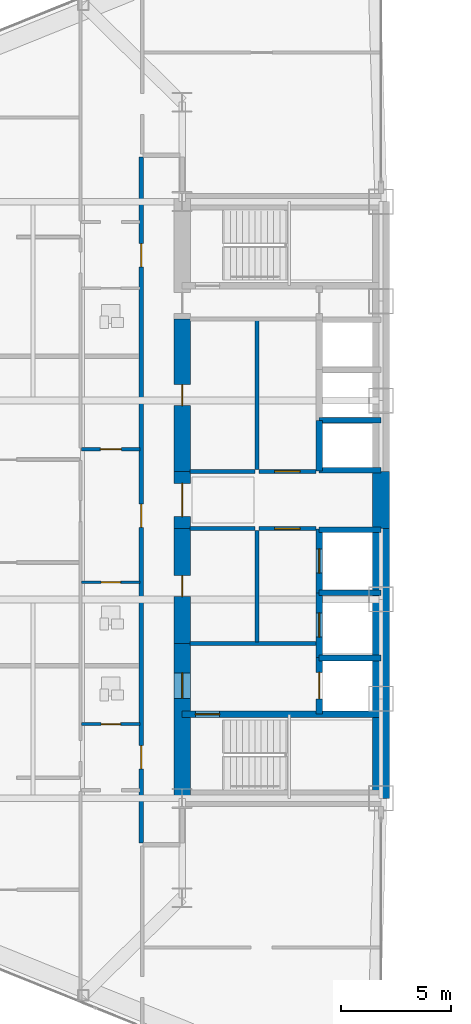
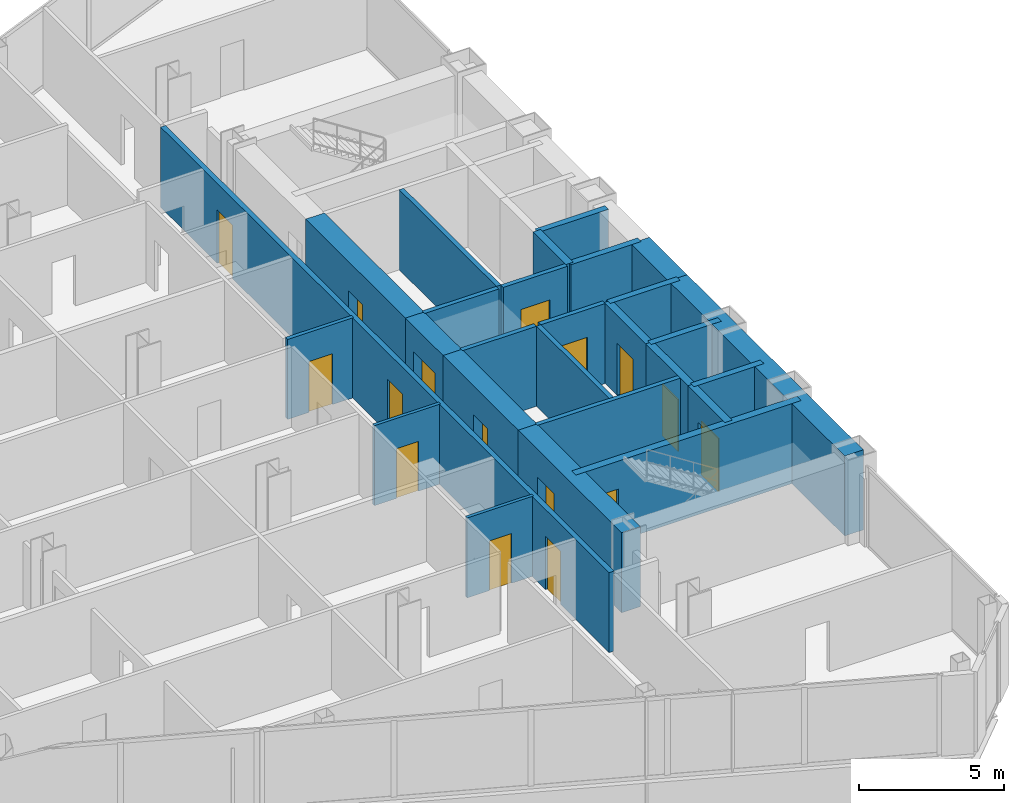
# One storey, part 19 of 26: 27 walls, 16 doors, 16 openings.
"""IFC4 building model written with IfcOpenShell, lengths in metres."""

from ifc_helpers import new_model, si_unit, direction, frame, frame_2d, origin, place, context, subcontext, project, spatial, rectangle, extrude, source, transform, mapped, material, layer, layer_set, type_object, type_shapes, element, fill, save


model = new_model("IFC4")

# Units and contexts
model_context = context("Model", 3, precision=1e-05, world=origin(), true_north=direction((0.0, 1.0)))
body_context = subcontext(model_context, "Body", "Model", "MODEL_VIEW")
ifc_project = project(units=[si_unit("LENGTHUNIT", "METRE"), si_unit("AREAUNIT", "SQUARE_METRE"), si_unit("VOLUMEUNIT", "CUBIC_METRE"), si_unit("PLANEANGLEUNIT", "RADIAN"), si_unit("MASSUNIT", "GRAM", prefix="KILO")], contexts=[model_context])

# Site, building, storey
site_placement = place(None, origin())
site = spatial("IfcSite", under=ifc_project, at=site_placement, CompositionType="ELEMENT")
building_placement = place(site_placement, origin())
building = spatial("IfcBuilding", under=site, at=building_placement, Name="Seokmaru Belvedere", CompositionType="ELEMENT")
storey_placement = place(building_placement, frame((0.0, 0.0, 18.89990234375)))
storey = spatial("IfcBuildingStorey", under=building, at=storey_placement, Name="L04", CompositionType="ELEMENT", Elevation=18.89990234375)

# Wall, opening, door
ifc_material_1 = material(Name="Fire-Rated Gypsum Shaftwall")
ifc_layer_1 = layer(ifc_material_1, 0.14990234375)
ifc_layer_set_1 = layer_set([ifc_layer_1], Name="Fire-Rated Gypsum Shaftwall")
wall_type_1 = type_object("IfcWallType", Name="Apartment Fire-Acoustic Room Partition 150", PredefinedType="PARTITIONING", material=ifc_layer_set_1)
wall_1_placement = place(storey_placement, frame((-41.050048828125, 2.300048828125, 0.0), z_axis=(0.0, 0.0, 1.0), x_axis=(1.0, 0.0, 0.0)))
wall_1 = element("IfcWall", 1, at=wall_1_placement, inside=storey, type_object=wall_type_1, Name="L04 Interior Partition 022", PredefinedType="PARTITIONING", context=body_context, shape_type="SweptSolid", body=[
    extrude(rectangle(XDim=2.650146484375, YDim=0.14990234375, at=frame_2d((1.3251953125, 0.0))), origin(), (0.0, 0.0, 1.0), 3.380126953125),
])
opening_1_placement = place(wall_1_placement, frame((0.85009765625, 0.0, 0.0)))
opening_1 = element("IfcOpeningElement", 2, at=opening_1_placement, cuts=wall_1, Name="Opening D05", PredefinedType="OPENING", context=body_context, shape_type="SweptSolid", body=[
    extrude(rectangle(XDim=0.949951171875, YDim=2.14990234375, at=frame_2d((0.47509765625, 1.074951171875))), frame((0.0, 0.0849609375, 0.0), z_axis=(0.0, -1.0, 0.0), x_axis=(1.0, 0.0, 0.0)), (0.0, 0.0, 1.0), 0.169921875),
])
ifc_material_2 = material(Name="Engineered White Oak Timber", Category="wood")
door_type_1 = type_object("IfcDoorType", Name="Apartment Interior Fire-Rated Oak Door 950x2150", OperationType="NOTDEFINED", PredefinedType="DOOR", material=ifc_material_2)
shared_shape_1 = source(origin(), body_context, "Body", "SweptSolid", [
    extrude(rectangle(XDim=0.949951171875, YDim=2.14990234375, at=frame_2d((0.47509765625, 1.074951171875))), frame((0.0, 0.02490234375, 0.0), z_axis=(0.0, -1.0, 0.0), x_axis=(1.0, 0.0, 0.0)), (0.0, 0.0, 1.0), 0.050048828125),
])
type_shapes(door_type_1, [shared_shape_1])
door_1_placement = place(opening_1_placement, origin())
door_1 = element("IfcDoor", 3, at=door_1_placement, inside=storey, type_object=door_type_1, Name="L04 Interior Door 016", OperationType="SINGLE_SWING_LEFT", OverallHeight=2.14990234375, OverallWidth=0.949951171875, PredefinedType="DOOR", context=body_context, shape_type="MappedRepresentation", body=[
    mapped(shared_shape_1, transform((0.0, 0.0, 0.0), scale=1.0)),
])
fill(opening_1, door_1)

# Walls
ifc_layer_2 = layer(ifc_material_1, 0.179931640625)
ifc_layer_set_2 = layer_set([ifc_layer_2], Name="Fire-Rated Gypsum Shaftwall")
wall_type_2 = type_object("IfcWallType", Name="Core Service Fire Partition 180", PredefinedType="PARTITIONING", material=ifc_layer_set_2)
wall_2_placement = place(storey_placement, frame((-36.14990234375, -6.5, 0.0), z_axis=(0.0, 0.0, 1.0), x_axis=(1.0, 0.0, 0.0)))
element("IfcWall", 4, at=wall_2_placement, inside=storey, type_object=wall_type_2, Name="L04 West Firefighting Lobby Partition", PredefinedType="PARTITIONING", context=body_context, shape_type="SweptSolid", body=[
    extrude(rectangle(XDim=5.699951171875, YDim=0.179931640625, at=frame_2d((2.85009765625, 0.0))), origin(), (0.0, 0.0, 1.0), 3.380126953125),
])
wall_3_placement = place(storey_placement, frame((-33.10009765625, -6.419921875, 0.0), z_axis=(0.0, 0.0, 1.0), x_axis=(0.0, 1.0, 0.0)))
element("IfcWall", 5, at=wall_3_placement, inside=storey, type_object=wall_type_2, Name="L04 West South Core Service Back Wall", PredefinedType="PARTITIONING", context=body_context, shape_type="SweptSolid", body=[
    extrude(rectangle(XDim=5.0400390625, YDim=0.179931640625, at=frame_2d((2.52001953125, 0.0))), origin(), (0.0, 0.0, 1.0), 3.380126953125),
])
wall_4_placement = place(storey_placement, frame((-33.10009765625, 1.3798828125, 0.0), z_axis=(0.0, 0.0, 1.0), x_axis=(0.0, 1.0, 0.0)))
element("IfcWall", 6, at=wall_4_placement, inside=storey, type_object=wall_type_2, Name="L04 West North Core Service Back Wall", PredefinedType="PARTITIONING", context=body_context, shape_type="SweptSolid", body=[
    extrude(rectangle(XDim=6.740234375, YDim=0.179931640625, at=frame_2d((3.3701171875, 0.0))), origin(), (0.0, 0.0, 1.0), 3.380126953125),
])

# Wall, opening, door
wall_5_placement = place(storey_placement, frame((-33.02001953125, -1.300048828125, 0.0), z_axis=(0.0, 0.0, 1.0), x_axis=(1.0, 0.0, 0.0)))
wall_5 = element("IfcWall", 7, at=wall_5_placement, inside=storey, type_object=wall_type_2, Name="L04 West South Lift Lobby Foyer Wall", PredefinedType="PARTITIONING", context=body_context, shape_type="SweptSolid", body=[
    extrude(rectangle(XDim=2.570068359375, YDim=0.179931640625, at=frame_2d((1.28515625, 0.0))), origin(), (0.0, 0.0, 1.0), 3.380126953125),
])
opening_2_placement = place(wall_5_placement, frame((0.7099609375, 0.0, 0.0)))
opening_2 = element("IfcOpeningElement", 8, at=opening_2_placement, cuts=wall_5, Name="Opening D02", PredefinedType="OPENING", context=body_context, shape_type="SweptSolid", body=[
    extrude(rectangle(XDim=1.14990234375, YDim=2.199951171875, at=frame_2d((0.574951171875, 1.10009765625))), frame((0.0, 0.10009765625, 0.0), z_axis=(0.0, -1.0, 0.0), x_axis=(1.0, 0.0, 0.0)), (0.0, 0.0, 1.0), 0.199951171875),
])
ifc_material_3 = material(Name="Fire-Rated Steel Leaf", Category="steel")
door_type_2 = type_object("IfcDoorType", Name="Lobby and Vestibule Fire Door 1150x2200", OperationType="NOTDEFINED", PredefinedType="DOOR", material=ifc_material_3)
shared_shape_2 = source(origin(), body_context, "Body", "SweptSolid", [
    extrude(rectangle(XDim=1.14990234375, YDim=2.199951171875, at=frame_2d((0.574951171875, 1.10009765625))), frame((0.0, 0.02490234375, 0.0), z_axis=(0.0, -1.0, 0.0), x_axis=(1.0, 0.0, 0.0)), (0.0, 0.0, 1.0), 0.050048828125),
])
type_shapes(door_type_2, [shared_shape_2])
door_2_placement = place(opening_2_placement, origin())
door_2 = element("IfcDoor", 9, at=door_2_placement, inside=storey, type_object=door_type_2, Name="L04 West South Core Foyer Door", OperationType="SINGLE_SWING_LEFT", OverallHeight=2.199951171875, OverallWidth=1.14990234375, PredefinedType="DOOR", context=body_context, shape_type="MappedRepresentation", body=[
    mapped(shared_shape_2, transform((0.0, 0.0, 0.0), scale=1.0)),
])
fill(opening_2, door_2)

wall_6_placement = place(storey_placement, frame((-33.02001953125, 1.300048828125, 0.0), z_axis=(0.0, 0.0, 1.0), x_axis=(1.0, 0.0, 0.0)))
wall_6 = element("IfcWall", 10, at=wall_6_placement, inside=storey, type_object=wall_type_2, Name="L04 West North Lift Lobby Foyer Wall", PredefinedType="PARTITIONING", context=body_context, shape_type="SweptSolid", body=[
    extrude(rectangle(XDim=2.570068359375, YDim=0.179931640625, at=frame_2d((1.28515625, 0.0))), origin(), (0.0, 0.0, 1.0), 3.380126953125),
])
opening_3_placement = place(wall_6_placement, frame((0.7099609375, 0.0, 0.0)))
opening_3 = element("IfcOpeningElement", 11, at=opening_3_placement, cuts=wall_6, Name="Opening D02", PredefinedType="OPENING", context=body_context, shape_type="SweptSolid", body=[
    extrude(rectangle(XDim=1.14990234375, YDim=2.199951171875, at=frame_2d((0.574951171875, 1.10009765625))), frame((0.0, 0.10009765625, 0.0), z_axis=(0.0, -1.0, 0.0), x_axis=(1.0, 0.0, 0.0)), (0.0, 0.0, 1.0), 0.199951171875),
])
door_3_placement = place(opening_3_placement, origin())
door_3 = element("IfcDoor", 12, at=door_3_placement, inside=storey, type_object=door_type_2, Name="L04 West North Lift Lobby Door", OperationType="SINGLE_SWING_RIGHT", OverallHeight=2.199951171875, OverallWidth=1.14990234375, PredefinedType="DOOR", context=body_context, shape_type="MappedRepresentation", body=[
    mapped(shared_shape_2, transform((0.0, 0.0, 0.0), scale=1.0)),
])
fill(opening_3, door_3)

# Walls
for number, where, z_axis, x_axis, name in (
    (13, (-36.14990234375, -1.300048828125, 0.0), (0.0, 0.0, 1.0), (1.0, 0.0, 0.0), "L04 West Foyer Side Wall S"),
    (14, (-36.14990234375, 1.300048828125, 0.0), (0.0, 0.0, 1.0), (1.0, 0.0, 0.0), "L04 West Foyer Side Wall N"),
):
    element("IfcWall", number, at=place(storey_placement, frame(where, z_axis=z_axis, x_axis=x_axis)), inside=storey, type_object=wall_type_2, Name=name, PredefinedType="PARTITIONING", context=body_context, shape_type="SweptSolid", body=[
        extrude(rectangle(XDim=2.949951171875, YDim=0.179931640625, at=frame_2d((1.47509765625, 0.0))), origin(), (0.0, 0.0, 1.0), 3.380126953125),
    ])
ifc_material_4 = material(Name="Concrete C50 (50 MPa)", Category="concrete")
ifc_layer_3 = layer(ifc_material_4, 0.25)
ifc_layer_set_3 = layer_set([ifc_layer_3], Name="Concrete C50 (50 MPa)")
wall_type_3 = type_object("IfcWallType", Name="Hoistway Transverse Concrete Divider Wall 250", PredefinedType="SHEAR", material=ifc_layer_set_3)
for number, where, z_axis, x_axis, name in (
    (15, (-30.300048828125, -7.14990234375, 0.0), (0.0, 0.0, 1.0), (1.0, 0.0, 0.0), "L04 West Hoistway Divider Core Wall 1"),
    (16, (-30.300048828125, -4.199951171875, 0.0), (0.0, 0.0, 1.0), (1.0, 0.0, 0.0), "L04 West Hoistway Divider Core Wall 2"),
    (17, (-30.300048828125, -1.35009765625, 0.0), (0.0, 0.0, 1.0), (1.0, 0.0, 0.0), "L04 West Hoistway Divider Core Wall 3"),
    (18, (-30.300048828125, 1.35009765625, 0.0), (0.0, 0.0, 1.0), (1.0, 0.0, 0.0), "L04 West Hoistway Divider Core Wall 4"),
    (19, (-30.300048828125, 3.60009765625, 0.0), (0.0, 0.0, 1.0), (1.0, 0.0, 0.0), "L04 West Hoistway Divider Core Wall 5"),
):
    element("IfcWall", number, at=place(storey_placement, frame(where, z_axis=z_axis, x_axis=x_axis)), inside=storey, type_object=wall_type_3, Name=name, PredefinedType="SHEAR", context=body_context, shape_type="SweptSolid", body=[
        extrude(rectangle(XDim=2.800048828125, YDim=0.25, at=frame_2d((1.39990234375, 0.0))), origin(), (0.0, 0.0, 1.0), 3.380126953125),
    ])

# Wall, openings, doors
ifc_layer_4 = layer(ifc_material_1, 0.199951171875)
ifc_layer_set_4 = layer_set([ifc_layer_4], Name="Fire-Rated Gypsum Shaftwall")
wall_type_4 = type_object("IfcWallType", Name="Inter-Tenancy Fire Compartment Partition 200", PredefinedType="PARTITIONING", material=ifc_layer_set_4)
wall_7_placement = place(storey_placement, frame((-38.35009765625, -15.514892578125, 0.0), z_axis=(0.0, 0.0, 1.0), x_axis=(0.0, 1.0, 0.0)))
wall_7 = element("IfcWall", 20, at=wall_7_placement, inside=storey, type_object=wall_type_4, Name="L04 Interior Partition 045", PredefinedType="PARTITIONING", context=body_context, shape_type="SweptSolid", body=[
    extrude(rectangle(XDim=31.02978515625, YDim=0.199951171875, at=frame_2d((15.514892578125, 0.0))), origin(), (0.0, 0.0, 1.0), 3.380126953125),
])
opening_4_placement = place(wall_7_placement, frame((3.344970703125, 0.0, 0.0)))
opening_4 = element("IfcOpeningElement", 21, at=opening_4_placement, cuts=wall_7, Name="Opening D03", PredefinedType="OPENING", context=body_context, shape_type="SweptSolid", body=[
    extrude(rectangle(XDim=1.050048828125, YDim=2.25, at=frame_2d((0.52490234375, 1.125))), frame((0.0, 0.10986328125, 0.0), z_axis=(0.0, -1.0, 0.0), x_axis=(1.0, 0.0, 0.0)), (0.0, 0.0, 1.0), 0.219970703125),
])
opening_5_placement = place(wall_7_placement, frame((14.280029296875, 0.0, 0.0)))
opening_5 = element("IfcOpeningElement", 22, at=opening_5_placement, cuts=wall_7, Name="Opening D03", PredefinedType="OPENING", context=body_context, shape_type="SweptSolid", body=[
    extrude(rectangle(XDim=1.050048828125, YDim=2.25, at=frame_2d((0.52490234375, 1.125))), frame((0.0, 0.10986328125, 0.0), z_axis=(0.0, -1.0, 0.0), x_axis=(1.0, 0.0, 0.0)), (0.0, 0.0, 1.0), 0.219970703125),
])
opening_6_placement = place(wall_7_placement, frame((26.0673828125, 0.0, 0.0)))
opening_6 = element("IfcOpeningElement", 23, at=opening_6_placement, cuts=wall_7, Name="Opening D03", PredefinedType="OPENING", context=body_context, shape_type="SweptSolid", body=[
    extrude(rectangle(XDim=1.050048828125, YDim=2.25, at=frame_2d((0.52490234375, 1.125))), frame((0.0, 0.10986328125, 0.0), z_axis=(0.0, -1.0, 0.0), x_axis=(1.0, 0.0, 0.0)), (0.0, 0.0, 1.0), 0.219970703125),
])
door_type_3 = type_object("IfcDoorType", Name="Apartment Entrance Fire Door 1050x2250", OperationType="NOTDEFINED", PredefinedType="DOOR", material=ifc_material_3)
shared_shape_3 = source(origin(), body_context, "Body", "SweptSolid", [
    extrude(rectangle(XDim=1.050048828125, YDim=2.25, at=frame_2d((0.52490234375, 1.125))), frame((0.0, 0.02490234375, 0.0), z_axis=(0.0, -1.0, 0.0), x_axis=(1.0, 0.0, 0.0)), (0.0, 0.0, 1.0), 0.050048828125),
])
type_shapes(door_type_3, [shared_shape_3])
door_4_placement = place(opening_4_placement, origin())
door_4 = element("IfcDoor", 24, at=door_4_placement, inside=storey, type_object=door_type_3, Name="L04 Interior Door 001", OperationType="SINGLE_SWING_RIGHT", OverallHeight=2.25, OverallWidth=1.050048828125, PredefinedType="DOOR", context=body_context, shape_type="MappedRepresentation", body=[
    mapped(shared_shape_3, transform((0.0, 0.0, 0.0), scale=1.0)),
])
fill(opening_4, door_4)
door_5_placement = place(opening_5_placement, origin())
door_5 = element("IfcDoor", 25, at=door_5_placement, inside=storey, type_object=door_type_3, Name="L04 Interior Door 014", OperationType="SINGLE_SWING_LEFT", OverallHeight=2.25, OverallWidth=1.050048828125, PredefinedType="DOOR", context=body_context, shape_type="MappedRepresentation", body=[
    mapped(shared_shape_3, transform((0.0, 0.0, 0.0), scale=1.0)),
])
fill(opening_5, door_5)
door_6_placement = place(opening_6_placement, origin())
door_6 = element("IfcDoor", 26, at=door_6_placement, inside=storey, type_object=door_type_3, Name="L04 Interior Door 029", OperationType="SINGLE_SWING_RIGHT", OverallHeight=2.25, OverallWidth=1.050048828125, PredefinedType="DOOR", context=body_context, shape_type="MappedRepresentation", body=[
    mapped(shared_shape_3, transform((0.0, 0.0, 0.0), scale=1.0)),
])
fill(opening_6, door_6)

# Wall, opening, door
ifc_layer_5 = layer(ifc_material_4, 0.300048828125)
ifc_layer_set_5 = layer_set([ifc_layer_5], Name="Concrete C50 (50 MPa)")
wall_type_5 = type_object("IfcWallType", Name="Internal Core Stair and Hoistway Wall 300", PredefinedType="SHEAR", material=ifc_layer_set_5)
wall_8_placement = place(storey_placement, frame((-36.5, -9.699951171875, 0.0), z_axis=(0.0, 0.0, 1.0), x_axis=(1.0, 0.0, 0.0)))
wall_8 = element("IfcWall", 27, at=wall_8_placement, inside=storey, type_object=wall_type_5, Name="L04 West Stair ST-1 Enclosure Wall", PredefinedType="SHEAR", context=body_context, shape_type="SweptSolid", body=[
    extrude(rectangle(XDim=9.0, YDim=0.300048828125, at=frame_2d((4.5, 0.0))), origin(), (0.0, 0.0, 1.0), 3.380126953125),
])
opening_7_placement = place(wall_8_placement, frame((0.60009765625, 0.0, 0.0)))
opening_7 = element("IfcOpeningElement", 28, at=opening_7_placement, cuts=wall_8, Name="Opening D01", PredefinedType="OPENING", context=body_context, shape_type="SweptSolid", body=[
    extrude(rectangle(XDim=1.10009765625, YDim=2.199951171875, at=frame_2d((0.550048828125, 1.10009765625))), frame((0.0, 0.16015625, 0.0), z_axis=(0.0, -1.0, 0.0), x_axis=(1.0, 0.0, 0.0)), (0.0, 0.0, 1.0), 0.320068359375),
])
door_type_4 = type_object("IfcDoorType", Name="Special Escape Stair Smokeproof Fire Door 1100x2200", OperationType="NOTDEFINED", PredefinedType="DOOR", material=ifc_material_3)
shared_shape_4 = source(origin(), body_context, "Body", "SweptSolid", [
    extrude(rectangle(XDim=1.10009765625, YDim=2.199951171875, at=frame_2d((0.550048828125, 1.10009765625))), frame((0.0, 0.02490234375, 0.0), z_axis=(0.0, -1.0, 0.0), x_axis=(1.0, 0.0, 0.0)), (0.0, 0.0, 1.0), 0.050048828125),
])
type_shapes(door_type_4, [shared_shape_4])
door_7_placement = place(opening_7_placement, frame((1.10009765625, 0.0, 0.0), z_axis=(0.0, 0.0, 1.0), x_axis=(-1.0, 0.0, 0.0)))
door_7 = element("IfcDoor", 29, at=door_7_placement, inside=storey, type_object=door_type_4, Name="L04 West Special Escape Stair ST-1 Door", OperationType="SINGLE_SWING_LEFT", OverallHeight=2.199951171875, OverallWidth=1.10009765625, PredefinedType="DOOR", context=body_context, shape_type="MappedRepresentation", body=[
    mapped(shared_shape_4, transform((0.0, 0.0, 0.0), scale=1.0)),
])
fill(opening_7, door_7)

wall_9_placement = place(storey_placement, frame((-30.300048828125, -9.679931640625, 0.0), z_axis=(0.0, 0.0, 1.0), x_axis=(0.0, 1.0, 0.0)))
wall_9 = element("IfcWall", 30, at=wall_9_placement, inside=storey, type_object=wall_type_5, Name="L04 West Firefighting Lift Shaft Front Wall", PredefinedType="SHEAR", context=body_context, shape_type="SweptSolid", body=[
    extrude(rectangle(XDim=2.559814453125, YDim=0.300048828125, at=frame_2d((1.27978515625, 0.0))), origin(), (0.0, 0.0, 1.0), 3.380126953125),
])
opening_8_placement = place(wall_9_placement, frame((0.679931640625, 0.0, 0.0)))
opening_8 = element("IfcOpeningElement", 31, at=opening_8_placement, cuts=wall_9, Name="Opening LD2", PredefinedType="OPENING", context=body_context, shape_type="SweptSolid", body=[
    extrude(rectangle(XDim=1.199951171875, YDim=2.25, at=frame_2d((0.60009765625, 1.125))), frame((0.0, 0.16015625, 0.0), z_axis=(0.0, -1.0, 0.0), x_axis=(1.0, 0.0, 0.0)), (0.0, 0.0, 1.0), 0.320068359375),
])
ifc_material_5 = material(Name="Stainless Steel 316", Category="steel")
door_type_5 = type_object("IfcDoorType", Name="Firefighting Lift Sliding Landing Door 1200x2250", OperationType="DOUBLE_DOOR_SLIDING", PredefinedType="DOOR", material=ifc_material_5)
shared_shape_5 = source(origin(), body_context, "Body", "SweptSolid", [
    extrude(rectangle(XDim=1.199951171875, YDim=2.25, at=frame_2d((0.60009765625, 1.125))), frame((0.0, 0.02490234375, 0.0), z_axis=(0.0, -1.0, 0.0), x_axis=(1.0, 0.0, 0.0)), (0.0, 0.0, 1.0), 0.050048828125),
])
type_shapes(door_type_5, [shared_shape_5])
door_8_placement = place(opening_8_placement, origin())
door_8 = element("IfcDoor", 32, at=door_8_placement, inside=storey, type_object=door_type_5, Name="L04 West Firefighting Lift Landing Door", OperationType="DOUBLE_DOOR_SLIDING", OverallHeight=2.25, OverallWidth=1.199951171875, PredefinedType="DOOR", context=body_context, shape_type="MappedRepresentation", body=[
    mapped(shared_shape_5, transform((0.0, 0.0, 0.0), scale=1.0)),
])
fill(opening_8, door_8)

wall_10_placement = place(storey_placement, frame((-30.300048828125, -7.1201171875, 0.0), z_axis=(0.0, 0.0, 1.0), x_axis=(0.0, 1.0, 0.0)))
wall_10 = element("IfcWall", 33, at=wall_10_placement, inside=storey, type_object=wall_type_5, Name="L04 West Low-Rise Lift PL-1 Front Wall", PredefinedType="SHEAR", context=body_context, shape_type="SweptSolid", body=[
    extrude(rectangle(XDim=2.920166015625, YDim=0.300048828125, at=frame_2d((1.4599609375, 0.0))), origin(), (0.0, 0.0, 1.0), 3.380126953125),
])
opening_9_placement = place(wall_10_placement, frame((0.909912109375, 0.0, 0.0)))
opening_9 = element("IfcOpeningElement", 34, at=opening_9_placement, cuts=wall_10, Name="Opening LD1", PredefinedType="OPENING", context=body_context, shape_type="SweptSolid", body=[
    extrude(rectangle(XDim=1.10009765625, YDim=2.199951171875, at=frame_2d((0.550048828125, 1.10009765625))), frame((0.0, 0.16015625, 0.0), z_axis=(0.0, -1.0, 0.0), x_axis=(1.0, 0.0, 0.0)), (0.0, 0.0, 1.0), 0.320068359375),
])
door_type_6 = type_object("IfcDoorType", Name="Passenger Lift Sliding Landing Door 1100x2200", OperationType="DOUBLE_DOOR_SLIDING", PredefinedType="DOOR", material=ifc_material_5)
shared_shape_6 = source(origin(), body_context, "Body", "SweptSolid", [
    extrude(rectangle(XDim=1.10009765625, YDim=2.199951171875, at=frame_2d((0.550048828125, 1.10009765625))), frame((0.0, 0.02490234375, 0.0), z_axis=(0.0, -1.0, 0.0), x_axis=(1.0, 0.0, 0.0)), (0.0, 0.0, 1.0), 0.050048828125),
])
type_shapes(door_type_6, [shared_shape_6])
door_9_placement = place(opening_9_placement, origin())
door_9 = element("IfcDoor", 35, at=door_9_placement, inside=storey, type_object=door_type_6, Name="L04 West Low-Rise Lift PL-1 Landing Door", OperationType="DOUBLE_DOOR_SLIDING", OverallHeight=2.199951171875, OverallWidth=1.10009765625, PredefinedType="DOOR", context=body_context, shape_type="MappedRepresentation", body=[
    mapped(shared_shape_6, transform((0.0, 0.0, 0.0), scale=1.0)),
])
fill(opening_9, door_9)

wall_11_placement = place(storey_placement, frame((-30.300048828125, -4.199951171875, 0.0), z_axis=(0.0, 0.0, 1.0), x_axis=(0.0, 1.0, 0.0)))
wall_11 = element("IfcWall", 36, at=wall_11_placement, inside=storey, type_object=wall_type_5, Name="L04 West Low-Rise Lift PL-2 Front Wall", PredefinedType="SHEAR", context=body_context, shape_type="SweptSolid", body=[
    extrude(rectangle(XDim=2.8798828125, YDim=0.300048828125, at=frame_2d((1.43994140625, 0.0))), origin(), (0.0, 0.0, 1.0), 3.380126953125),
])
opening_10_placement = place(wall_11_placement, frame((0.889892578125, 0.0, 0.0)))
opening_10 = element("IfcOpeningElement", 37, at=opening_10_placement, cuts=wall_11, Name="Opening LD1", PredefinedType="OPENING", context=body_context, shape_type="SweptSolid", body=[
    extrude(rectangle(XDim=1.10009765625, YDim=2.199951171875, at=frame_2d((0.550048828125, 1.10009765625))), frame((0.0, 0.16015625, 0.0), z_axis=(0.0, -1.0, 0.0), x_axis=(1.0, 0.0, 0.0)), (0.0, 0.0, 1.0), 0.320068359375),
])
door_10_placement = place(opening_10_placement, origin())
door_10 = element("IfcDoor", 38, at=door_10_placement, inside=storey, type_object=door_type_6, Name="L04 West Low-Rise Lift PL-2 Landing Door", OperationType="DOUBLE_DOOR_SLIDING", OverallHeight=2.199951171875, OverallWidth=1.10009765625, PredefinedType="DOOR", context=body_context, shape_type="MappedRepresentation", body=[
    mapped(shared_shape_6, transform((0.0, 0.0, 0.0), scale=1.0)),
])
fill(opening_10, door_10)

# Walls
wall_12_placement = place(storey_placement, frame((-30.300048828125, 1.320068359375, 0.0), z_axis=(0.0, 0.0, 1.0), x_axis=(0.0, 1.0, 0.0)))
element("IfcWall", 39, at=wall_12_placement, inside=storey, type_object=wall_type_5, Name="L04 West North Hoistway Wall PH1", PredefinedType="SHEAR", context=body_context, shape_type="SweptSolid", body=[
    extrude(rectangle(XDim=2.280029296875, YDim=0.300048828125, at=frame_2d((1.14013671875, 0.0))), origin(), (0.0, 0.0, 1.0), 3.380126953125),
])
ifc_material_6 = material(Name="Concrete C60 (60 MPa)", Category="concrete")
ifc_layer_6 = layer(ifc_material_6, 0.75)
ifc_layer_set_6 = layer_set([ifc_layer_6], Name="Concrete C60 (60 MPa)")
wall_type_6 = type_object("IfcWallType", Name="Lower Tower Reinforced Concrete Core Wall 750", PredefinedType="SHEAR", material=ifc_layer_set_6)
wall_13_placement = place(storey_placement, frame((-27.5, -13.5, 0.0), z_axis=(0.0, 0.0, 1.0), x_axis=(0.0, 1.0, 0.0)))
element("IfcWall", 40, at=wall_13_placement, inside=storey, type_object=wall_type_6, Name="L04 West Portal Spine Core Wall South", PredefinedType="SHEAR", context=body_context, shape_type="SweptSolid", body=[
    extrude(rectangle(XDim=12.199951171875, YDim=0.75, at=frame_2d((6.10009765625, 0.0))), origin(), (0.0, 0.0, 1.0), 3.380126953125),
])
wall_14_placement = place(storey_placement, frame((-27.5, -1.300048828125, 0.0), z_axis=(0.0, 0.0, 1.0), x_axis=(0.0, 1.0, 0.0)))
element("IfcWall", 41, at=wall_14_placement, inside=storey, type_object=wall_type_6, Name="L04 West Portal Spine Core Wall Center", PredefinedType="SHEAR", context=body_context, shape_type="SweptSolid", body=[
    extrude(rectangle(XDim=2.60009765625, YDim=0.75, at=frame_2d((1.300048828125, 0.0))), origin(), (0.0, 0.0, 1.0), 3.380126953125),
])

# Wall, opening, door
wall_15_placement = place(storey_placement, frame((-36.5, -13.64990234375, 0.0), z_axis=(0.0, 0.0, 1.0), x_axis=(0.0, 1.0, 0.0)))
wall_15 = element("IfcWall", 42, at=wall_15_placement, inside=storey, type_object=wall_type_6, Name="L04 West West Core Wall FF", PredefinedType="SHEAR", context=body_context, shape_type="SweptSolid", body=[
    extrude(rectangle(XDim=7.14990234375, YDim=0.75, at=frame_2d((3.574951171875, 0.0))), origin(), (0.0, 0.0, 1.0), 3.380126953125),
])
opening_11_placement = place(wall_15_placement, frame((4.675048828125, 0.0, 0.0)))
opening_11 = element("IfcOpeningElement", 43, at=opening_11_placement, cuts=wall_15, Name="Opening D02", PredefinedType="OPENING", context=body_context, shape_type="SweptSolid", body=[
    extrude(rectangle(XDim=1.14990234375, YDim=2.199951171875, at=frame_2d((0.574951171875, 1.10009765625))), frame((0.0, 0.385009765625, 0.0), z_axis=(0.0, -1.0, 0.0), x_axis=(1.0, 0.0, 0.0)), (0.0, 0.0, 1.0), 0.77001953125),
])
door_11_placement = place(opening_11_placement, frame((1.14990234375, 0.0, 0.0), z_axis=(0.0, 0.0, 1.0), x_axis=(-1.0, 0.0, 0.0)))
door_11 = element("IfcDoor", 44, at=door_11_placement, inside=storey, type_object=door_type_2, Name="L04 West Firefighting Lobby Door", OperationType="SINGLE_SWING_LEFT", OverallHeight=2.199951171875, OverallWidth=1.14990234375, PredefinedType="DOOR", context=body_context, shape_type="MappedRepresentation", body=[
    mapped(shared_shape_2, transform((0.0, 0.0, 0.0), scale=1.0)),
])
fill(opening_11, door_11)

wall_16_placement = place(storey_placement, frame((-36.5, -1.300048828125, 0.0), z_axis=(0.0, 0.0, 1.0), x_axis=(0.0, 1.0, 0.0)))
wall_16 = element("IfcWall", 45, at=wall_16_placement, inside=storey, type_object=wall_type_6, Name="L04 West West Core Wall FOY", PredefinedType="SHEAR", context=body_context, shape_type="SweptSolid", body=[
    extrude(rectangle(XDim=2.60009765625, YDim=0.75, at=frame_2d((1.300048828125, 0.0))), origin(), (0.0, 0.0, 1.0), 3.380126953125),
])
opening_12_placement = place(wall_16_placement, frame((0.550048828125, 0.0, 0.0)))
opening_12 = element("IfcOpeningElement", 46, at=opening_12_placement, cuts=wall_16, Name="Opening D08", PredefinedType="OPENING", context=body_context, shape_type="SweptSolid", body=[
    extrude(rectangle(XDim=1.5, YDim=2.300048828125, at=frame_2d((0.75, 1.14990234375))), frame((0.0, 0.385009765625, 0.0), z_axis=(0.0, -1.0, 0.0), x_axis=(1.0, 0.0, 0.0)), (0.0, 0.0, 1.0), 0.77001953125),
])
door_type_7 = type_object("IfcDoorType", Name="Cross-Corridor Compartment Double Fire Door 1500x2300", OperationType="DOUBLE_SWING_LEFT", PredefinedType="DOOR", material=ifc_material_3)
shared_shape_7 = source(origin(), body_context, "Body", "SweptSolid", [
    extrude(rectangle(XDim=1.5, YDim=2.300048828125, at=frame_2d((0.75, 1.14990234375))), frame((0.0, 0.02490234375, 0.0), z_axis=(0.0, -1.0, 0.0), x_axis=(1.0, 0.0, 0.0)), (0.0, 0.0, 1.0), 0.050048828125),
])
type_shapes(door_type_7, [shared_shape_7])
door_12_placement = place(opening_12_placement, origin())
door_12 = element("IfcDoor", 47, at=door_12_placement, inside=storey, type_object=door_type_7, Name="L04 West Core Foyer Compartment Door", OperationType="DOUBLE_SWING_LEFT", OverallHeight=2.300048828125, OverallWidth=1.5, PredefinedType="DOOR", context=body_context, shape_type="MappedRepresentation", body=[
    mapped(shared_shape_7, transform((0.0, 0.0, 0.0), scale=1.0)),
])
fill(opening_12, door_12)

wall_17_placement = place(storey_placement, frame((-36.5, -6.5, 0.0), z_axis=(0.0, 0.0, 1.0), x_axis=(0.0, 1.0, 0.0)))
wall_17 = element("IfcWall", 48, at=wall_17_placement, inside=storey, type_object=wall_type_6, Name="L04 West West Core Wall CS1", PredefinedType="SHEAR", context=body_context, shape_type="SweptSolid", body=[
    extrude(rectangle(XDim=5.199951171875, YDim=0.75, at=frame_2d((2.60009765625, 0.0))), origin(), (0.0, 0.0, 1.0), 3.380126953125),
])
opening_13_placement = place(wall_17_placement, frame((2.125, 0.0, 0.0)))
opening_13 = element("IfcOpeningElement", 49, at=opening_13_placement, cuts=wall_17, Name="Opening D04", PredefinedType="OPENING", context=body_context, shape_type="SweptSolid", body=[
    extrude(rectangle(XDim=0.949951171875, YDim=2.14990234375, at=frame_2d((0.47509765625, 1.074951171875))), frame((0.0, 0.385009765625, 0.0), z_axis=(0.0, -1.0, 0.0), x_axis=(1.0, 0.0, 0.0)), (0.0, 0.0, 1.0), 0.77001953125),
])
door_type_8 = type_object("IfcDoorType", Name="Core Service Room Fire Door 950x2150", OperationType="NOTDEFINED", PredefinedType="DOOR", material=ifc_material_3)
shared_shape_8 = source(origin(), body_context, "Body", "SweptSolid", [
    extrude(rectangle(XDim=0.949951171875, YDim=2.14990234375, at=frame_2d((0.47509765625, 1.074951171875))), frame((0.0, 0.02490234375, 0.0), z_axis=(0.0, -1.0, 0.0), x_axis=(1.0, 0.0, 0.0)), (0.0, 0.0, 1.0), 0.050048828125),
])
type_shapes(door_type_8, [shared_shape_8])
door_13_placement = place(opening_13_placement, origin())
door_13 = element("IfcDoor", 50, at=door_13_placement, inside=storey, type_object=door_type_8, Name="L04 West Core Service Room Door 1", OperationType="SINGLE_SWING_LEFT", OverallHeight=2.14990234375, OverallWidth=0.949951171875, PredefinedType="DOOR", context=body_context, shape_type="MappedRepresentation", body=[
    mapped(shared_shape_8, transform((0.0, 0.0, 0.0), scale=1.0)),
])
fill(opening_13, door_13)

wall_18_placement = place(storey_placement, frame((-36.5, 1.300048828125, 0.0), z_axis=(0.0, 0.0, 1.0), x_axis=(0.0, 1.0, 0.0)))
wall_18 = element("IfcWall", 51, at=wall_18_placement, inside=storey, type_object=wall_type_6, Name="L04 West West Core Wall CS2", PredefinedType="SHEAR", context=body_context, shape_type="SweptSolid", body=[
    extrude(rectangle(XDim=6.89990234375, YDim=0.75, at=frame_2d((3.449951171875, 0.0))), origin(), (0.0, 0.0, 1.0), 3.380126953125),
])
opening_14_placement = place(wall_18_placement, frame((2.97509765625, 0.0, 0.0)))
opening_14 = element("IfcOpeningElement", 52, at=opening_14_placement, cuts=wall_18, Name="Opening D04", PredefinedType="OPENING", context=body_context, shape_type="SweptSolid", body=[
    extrude(rectangle(XDim=0.949951171875, YDim=2.14990234375, at=frame_2d((0.47509765625, 1.074951171875))), frame((0.0, 0.385009765625, 0.0), z_axis=(0.0, -1.0, 0.0), x_axis=(1.0, 0.0, 0.0)), (0.0, 0.0, 1.0), 0.77001953125),
])
door_14_placement = place(opening_14_placement, origin())
door_14 = element("IfcDoor", 53, at=door_14_placement, inside=storey, type_object=door_type_8, Name="L04 West Core Service Room Door 2", OperationType="SINGLE_SWING_RIGHT", OverallHeight=2.14990234375, OverallWidth=0.949951171875, PredefinedType="DOOR", context=body_context, shape_type="MappedRepresentation", body=[
    mapped(shared_shape_8, transform((0.0, 0.0, 0.0), scale=1.0)),
])
fill(opening_14, door_14)

ifc_layer_7 = layer(ifc_material_1, 0.1298828125)
ifc_layer_set_7 = layer_set([ifc_layer_7], Name="Fire-Rated Gypsum Shaftwall")
wall_type_7 = type_object("IfcWallType", Name="Moisture-Resistant Fire-Rated Bathroom Partition 130", PredefinedType="PARTITIONING", material=ifc_layer_set_7)
wall_19_placement = place(storey_placement, frame((-41.050048828125, -10.139892578125, 0.0), z_axis=(0.0, 0.0, 1.0), x_axis=(1.0, 0.0, 0.0)))
wall_19 = element("IfcWall", 54, at=wall_19_placement, inside=storey, type_object=wall_type_7, Name="L04 Interior Partition 012", PredefinedType="PARTITIONING", context=body_context, shape_type="SweptSolid", body=[
    extrude(rectangle(XDim=2.650146484375, YDim=0.1298828125, at=frame_2d((1.3251953125, 0.0))), origin(), (0.0, 0.0, 1.0), 3.380126953125),
])
opening_15_placement = place(wall_19_placement, frame((0.885009765625, 0.0, 0.0)))
opening_15 = element("IfcOpeningElement", 55, at=opening_15_placement, cuts=wall_19, Name="Opening D06", PredefinedType="OPENING", context=body_context, shape_type="SweptSolid", body=[
    extrude(rectangle(XDim=0.8798828125, YDim=2.10009765625, at=frame_2d((0.43994140625, 1.050048828125))), frame((0.0, 0.074951171875, 0.0), z_axis=(0.0, -1.0, 0.0), x_axis=(1.0, 0.0, 0.0)), (0.0, 0.0, 1.0), 0.14990234375),
])
door_type_9 = type_object("IfcDoorType", Name="Bathroom and Restroom Fire-Rated Door 880x2100", OperationType="NOTDEFINED", PredefinedType="DOOR", material=ifc_material_2)
shared_shape_9 = source(origin(), body_context, "Body", "SweptSolid", [
    extrude(rectangle(XDim=0.8798828125, YDim=2.10009765625, at=frame_2d((0.43994140625, 1.050048828125))), frame((0.0, 0.02490234375, 0.0), z_axis=(0.0, -1.0, 0.0), x_axis=(1.0, 0.0, 0.0)), (0.0, 0.0, 1.0), 0.050048828125),
])
type_shapes(door_type_9, [shared_shape_9])
door_15_placement = place(opening_15_placement, origin())
door_15 = element("IfcDoor", 56, at=door_15_placement, inside=storey, type_object=door_type_9, Name="L04 Interior Door 002", OperationType="SINGLE_SWING_LEFT", OverallHeight=2.10009765625, OverallWidth=0.8798828125, PredefinedType="DOOR", context=body_context, shape_type="MappedRepresentation", body=[
    mapped(shared_shape_9, transform((0.0, 0.0, 0.0), scale=1.0)),
])
fill(opening_15, door_15)

wall_20_placement = place(storey_placement, frame((-41.050048828125, -3.719970703125, 0.0), z_axis=(0.0, 0.0, 1.0), x_axis=(1.0, 0.0, 0.0)))
wall_20 = element("IfcWall", 57, at=wall_20_placement, inside=storey, type_object=wall_type_7, Name="L04 Interior Partition 017", PredefinedType="PARTITIONING", context=body_context, shape_type="SweptSolid", body=[
    extrude(rectangle(XDim=2.650146484375, YDim=0.1298828125, at=frame_2d((1.3251953125, 0.0))), origin(), (0.0, 0.0, 1.0), 3.380126953125),
])
opening_16_placement = place(wall_20_placement, frame((0.885009765625, 0.0, 0.0)))
opening_16 = element("IfcOpeningElement", 58, at=opening_16_placement, cuts=wall_20, Name="Opening D06", PredefinedType="OPENING", context=body_context, shape_type="SweptSolid", body=[
    extrude(rectangle(XDim=0.8798828125, YDim=2.10009765625, at=frame_2d((0.43994140625, 1.050048828125))), frame((0.0, 0.074951171875, 0.0), z_axis=(0.0, -1.0, 0.0), x_axis=(1.0, 0.0, 0.0)), (0.0, 0.0, 1.0), 0.14990234375),
])
door_16_placement = place(opening_16_placement, origin())
door_16 = element("IfcDoor", 59, at=door_16_placement, inside=storey, type_object=door_type_9, Name="L04 Interior Door 015", OperationType="SINGLE_SWING_LEFT", OverallHeight=2.10009765625, OverallWidth=0.8798828125, PredefinedType="DOOR", context=body_context, shape_type="MappedRepresentation", body=[
    mapped(shared_shape_9, transform((0.0, 0.0, 0.0), scale=1.0)),
])
fill(opening_16, door_16)

save(model, "model.ifc")
